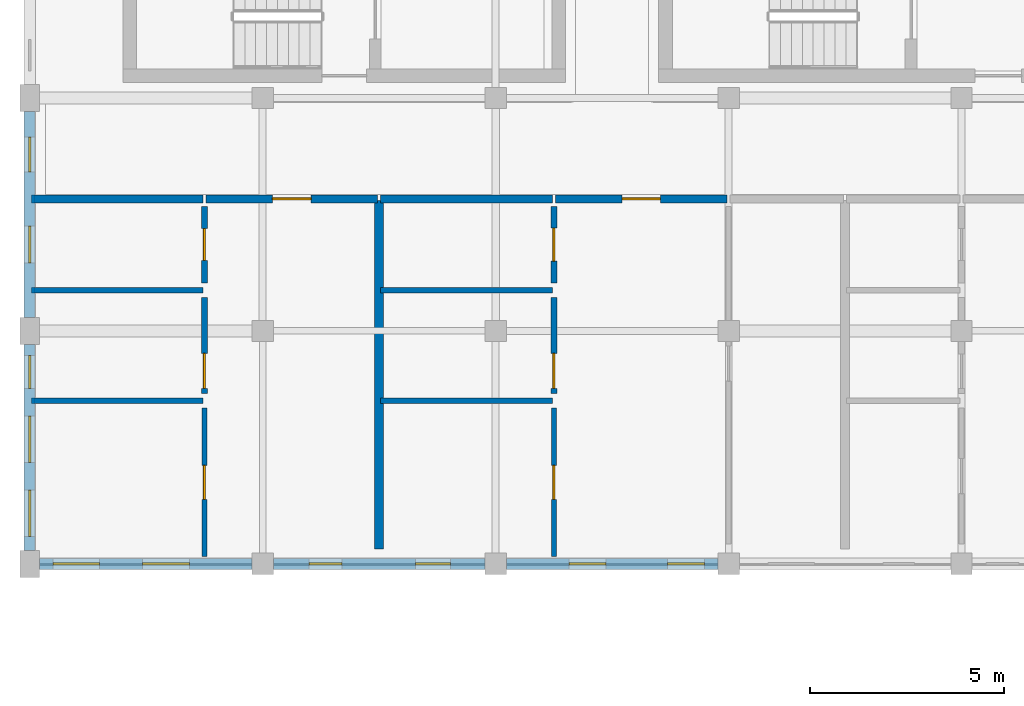
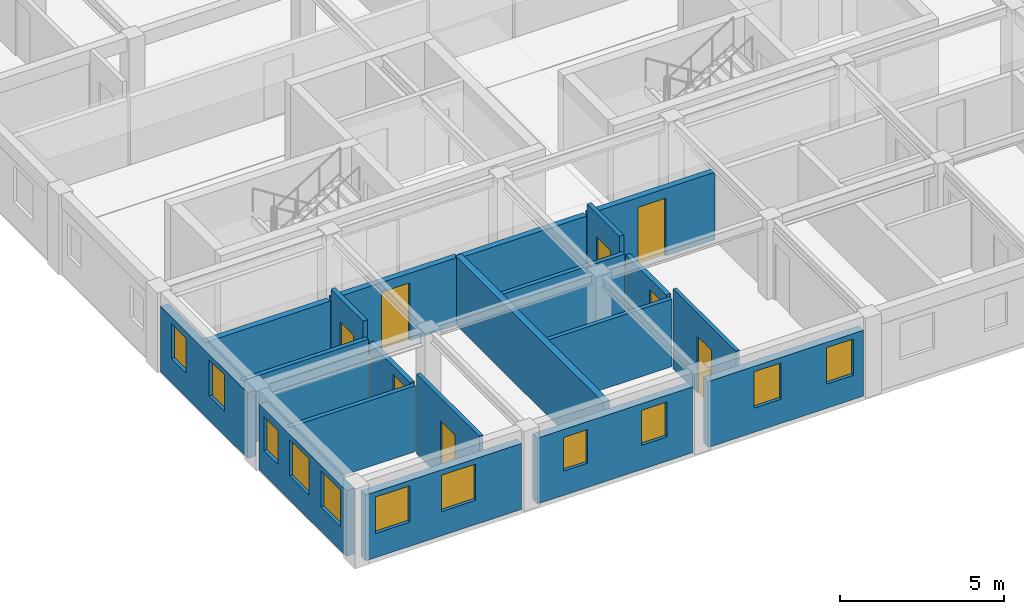
# One storey, part 54 of 101: 20 walls, 11 windows, 8 doors, 19 openings.
"""IFC4 building model written with IfcOpenShell, lengths in metres."""

from ifc_helpers import new_model, si_unit, direction, frame, frame_2d, origin, place, context, subcontext, project, spatial, rectangle, extrude, material, layer, layer_set, type_object, element, fill, save


model = new_model("IFC4")

# Units and contexts
model_context = context("Model", 3, precision=1e-05, world=origin(), true_north=direction((0.0, 1.0)))
body_context = subcontext(model_context, "Body", "Model", "MODEL_VIEW")
ifc_project = project(units=[si_unit("LENGTHUNIT", "METRE"), si_unit("AREAUNIT", "SQUARE_METRE"), si_unit("VOLUMEUNIT", "CUBIC_METRE"), si_unit("PLANEANGLEUNIT", "RADIAN"), si_unit("MASSUNIT", "GRAM", prefix="KILO"), si_unit("POWERUNIT", "WATT"), si_unit("THERMODYNAMICTEMPERATUREUNIT", "KELVIN")], contexts=[model_context])

# Site, building, storey
site_placement = place(None, origin())
site = spatial("IfcSite", under=ifc_project, at=site_placement, CompositionType="ELEMENT")
building_placement = place(site_placement, origin())
building = spatial("IfcBuilding", under=site, at=building_placement, Name="Ruvembo Vaulted Housing Court", CompositionType="ELEMENT")
storey_placement = place(building_placement, frame((0.0, 0.0, 17.300048828125)))
storey = spatial("IfcBuildingStorey", under=building, at=storey_placement, Name="L05", CompositionType="ELEMENT", Elevation=17.300048828125)

# Wall
ifc_material_1 = material(Name="Concrete Blockwork 210", Category="masonry")
ifc_layer_1 = layer(ifc_material_1, 0.2099609375, Name="Concrete Blockwork 210")
ifc_layer_set_1 = layer_set([ifc_layer_1], Name="Concrete Blockwork 210")
wall_type_1 = type_object("IfcWallType", Name="WL-CORR-210", PredefinedType="SOLIDWALL", material=ifc_layer_set_1)
wall_1_placement = place(storey_placement, frame((0.0400390625, 15.39990234375, 0.0), z_axis=(0.0, 0.0, 1.0), x_axis=(1.0, 0.0, 0.0)))
element("IfcWall", 1, at=wall_1_placement, inside=storey, type_object=wall_type_1, Name="L05 Flat A-L05-S1 Corridor Wall WL-INT-L05-01381", PredefinedType="SOLIDWALL", context=body_context, shape_type="SweptSolid", body=[
    extrude(rectangle(XDim=4.419921875, YDim=0.2099609375, at=frame_2d((2.2099609375, 0.0))), origin(), (0.0, 0.0, 1.0), 2.447021484375),
])

# Wall, opening, door
wall_2_placement = place(storey_placement, frame((4.5400390625, 15.39990234375, 0.0), z_axis=(0.0, 0.0, 1.0), x_axis=(1.0, 0.0, 0.0)))
wall_2 = element("IfcWall", 2, at=wall_2_placement, inside=storey, type_object=wall_type_1, Name="L05 Flat A-L05-S1 Entrance WL-INT-L05-01382", PredefinedType="SOLIDWALL", context=body_context, shape_type="SweptSolid", body=[
    extrude(rectangle(XDim=4.419921875, YDim=0.2099609375, at=frame_2d((2.2099609375, 0.0))), origin(), (0.0, 0.0, 1.0), 2.508056640625),
])
opening_1_placement = place(wall_2_placement, frame((1.7099609375, 0.0, 0.0)))
opening_1 = element("IfcOpeningElement", 3, at=opening_1_placement, cuts=wall_2, Name="Opening FD1", PredefinedType="OPENING", context=body_context, shape_type="SweptSolid", body=[
    extrude(rectangle(XDim=1.0, YDim=2.14990234375, at=frame_2d((0.5, 1.074951171875))), frame((0.0, 0.114990234375, 0.0), z_axis=(0.0, -1.0, 0.0), x_axis=(1.0, 0.0, 0.0)), (0.0, 0.0, 1.0), 0.22998046875),
])
ifc_material_2 = material(Name="FSC Hardwood and Engineered Timber", Category="wood")
door_type_1 = type_object("IfcDoorType", Name="DR-FLAT-1000x2150", OperationType="NOTDEFINED", PredefinedType="DOOR", material=ifc_material_2)
door_1_placement = place(opening_1_placement, origin())
door_1 = element("IfcDoor", 4, at=door_1_placement, inside=storey, type_object=door_type_1, Name="L05 Flat A-L05-S1 Entrance Door DR-INT-L05-00780", OperationType="SINGLE_SWING_RIGHT", OverallHeight=2.14990234375, OverallWidth=1.0, PredefinedType="DOOR", context=body_context, shape_type="SweptSolid", body=[
    extrude(rectangle(XDim=1.0, YDim=2.14990234375, at=frame_2d((0.5, 1.074951171875))), frame((0.0, 0.02490234375, 0.0), z_axis=(0.0, -1.0, 0.0), x_axis=(1.0, 0.0, 0.0)), (0.0, 0.0, 1.0), 0.050048828125),
])
fill(opening_1, door_1)

# Wall
wall_3_placement = place(storey_placement, frame((9.0400390625, 15.39990234375, 0.0), z_axis=(0.0, 0.0, 1.0), x_axis=(1.0, 0.0, 0.0)))
element("IfcWall", 5, at=wall_3_placement, inside=storey, type_object=wall_type_1, Name="L05 Flat A-L05-S2 Corridor Wall WL-INT-L05-01389", PredefinedType="SOLIDWALL", context=body_context, shape_type="SweptSolid", body=[
    extrude(rectangle(XDim=4.419921875, YDim=0.2099609375, at=frame_2d((2.2099609375, 0.0))), origin(), (0.0, 0.0, 1.0), 2.4580078125),
])

# Wall, opening, door
wall_4_placement = place(storey_placement, frame((13.5400390625, 15.39990234375, 0.0), z_axis=(0.0, 0.0, 1.0), x_axis=(1.0, 0.0, 0.0)))
wall_4 = element("IfcWall", 6, at=wall_4_placement, inside=storey, type_object=wall_type_1, Name="L05 Flat A-L05-S2 Entrance WL-INT-L05-01390", PredefinedType="SOLIDWALL", context=body_context, shape_type="SweptSolid", body=[
    extrude(rectangle(XDim=4.419921875, YDim=0.2099609375, at=frame_2d((2.2099609375, 0.0))), origin(), (0.0, 0.0, 1.0), 2.508056640625),
])
opening_2_placement = place(wall_4_placement, frame((1.719970703125, 0.0, 0.0)))
opening_2 = element("IfcOpeningElement", 7, at=opening_2_placement, cuts=wall_4, Name="Opening FD2", PredefinedType="OPENING", context=body_context, shape_type="SweptSolid", body=[
    extrude(rectangle(XDim=0.97998046875, YDim=2.14990234375, at=frame_2d((0.489990234375, 1.074951171875))), frame((0.0, 0.114990234375, 0.0), z_axis=(0.0, -1.0, 0.0), x_axis=(1.0, 0.0, 0.0)), (0.0, 0.0, 1.0), 0.22998046875),
])
door_type_2 = type_object("IfcDoorType", Name="DR-FLAT-0980x2150", OperationType="NOTDEFINED", PredefinedType="DOOR", material=ifc_material_2)
door_2_placement = place(opening_2_placement, origin())
door_2 = element("IfcDoor", 8, at=door_2_placement, inside=storey, type_object=door_type_2, Name="L05 Flat A-L05-S2 Entrance Door DR-INT-L05-00784", OperationType="SINGLE_SWING_RIGHT", OverallHeight=2.14990234375, OverallWidth=0.97998046875, PredefinedType="DOOR", context=body_context, shape_type="SweptSolid", body=[
    extrude(rectangle(XDim=0.97998046875, YDim=2.14990234375, at=frame_2d((0.489990234375, 1.074951171875))), frame((0.0, 0.02490234375, 0.0), z_axis=(0.0, -1.0, 0.0), x_axis=(1.0, 0.0, 0.0)), (0.0, 0.0, 1.0), 0.050048828125),
])
fill(opening_2, door_2)

# Wall
ifc_material_3 = material(Name="Acoustic Masonry Demising 230", Category="masonry")
ifc_layer_2 = layer(ifc_material_3, 0.22998046875, Name="Acoustic Masonry Demising 230")
ifc_layer_set_2 = layer_set([ifc_layer_2], Name="Acoustic Masonry Demising 230")
wall_type_2 = type_object("IfcWallType", Name="WL-DEM-230", PredefinedType="SOLIDWALL", material=ifc_layer_set_2)
wall_5_placement = place(storey_placement, frame((9.0, 6.389892578125, 0.0), z_axis=(0.0, 0.0, 1.0), x_axis=(0.0, 1.0, 0.0)))
element("IfcWall", 9, at=wall_5_placement, inside=storey, type_object=wall_type_2, Name="L05 Demising A-L05-S1 WL-INT-L05-01380", PredefinedType="SOLIDWALL", context=body_context, shape_type="SweptSolid", body=[
    extrude(rectangle(XDim=8.97021484375, YDim=0.22998046875, at=frame_2d((4.485107421875, 0.0))), origin(), (0.0, 0.0, 1.0), 2.5478515625),
])

# Wall, openings, windows
ifc_material_4 = material(Name="Rendered Masonry 285", Category="masonry")
ifc_layer_3 = layer(ifc_material_4, 0.284912109375, Name="Rendered Masonry 285")
ifc_layer_set_3 = layer_set([ifc_layer_3], Name="Rendered Masonry 285")
wall_type_3 = type_object("IfcWallType", Name="WL-EXT-285", PredefinedType="STANDARD", material=ifc_layer_set_3)
wall_6_placement = place(storey_placement, frame((0.25, 6.0, 0.0), z_axis=(0.0, 0.0, 1.0), x_axis=(1.0, 0.0, 0.0)))
wall_6 = element("IfcWall", 10, at=wall_6_placement, inside=storey, type_object=wall_type_3, Name="Block A L05 Exterior Wall STREET #1", PredefinedType="STANDARD", context=body_context, shape_type="SweptSolid", body=[
    extrude(rectangle(XDim=5.47509765625, YDim=0.284912109375, at=frame_2d((2.737548828125, 0.0))), origin(), (0.0, 0.0, 1.0), 2.447021484375),
])
opening_3_placement = place(wall_6_placement, frame((0.35009765625, 0.0, 0.89990234375)))
opening_3 = element("IfcOpeningElement", 11, at=opening_3_placement, cuts=wall_6, Name="Opening W12", PredefinedType="OPENING", context=body_context, shape_type="SweptSolid", body=[
    extrude(rectangle(XDim=1.199951171875, YDim=1.35009765625, at=frame_2d((0.60009765625, 0.675048828125))), frame((0.0, 0.15234375, 0.0), z_axis=(0.0, -1.0, 0.0), x_axis=(1.0, 0.0, 0.0)), (0.0, 0.0, 1.0), 0.304931640625),
])
opening_4_placement = place(wall_6_placement, frame((2.659912109375, 0.0, 0.89990234375)))
opening_4 = element("IfcOpeningElement", 12, at=opening_4_placement, cuts=wall_6, Name="Opening W12", PredefinedType="OPENING", context=body_context, shape_type="SweptSolid", body=[
    extrude(rectangle(XDim=1.199951171875, YDim=1.35009765625, at=frame_2d((0.60009765625, 0.675048828125))), frame((0.0, 0.15234375, 0.0), z_axis=(0.0, -1.0, 0.0), x_axis=(1.0, 0.0, 0.0)), (0.0, 0.0, 1.0), 0.304931640625),
])
ifc_material_5 = material(Name="Double Solar-Control Glazing in Aluminium Frame", Category="aluminium")
window_type_1 = type_object("IfcWindowType", Name="WIN-1200x1350", PartitioningType="SINGLE_PANEL", PredefinedType="WINDOW", material=ifc_material_5)
window_1_placement = place(opening_3_placement, origin())
window_1 = element("IfcWindow", 13, at=window_1_placement, inside=storey, type_object=window_type_1, Name="Block A L05 Window #209", OverallHeight=1.35009765625, OverallWidth=1.199951171875, PartitioningType="SINGLE_PANEL", PredefinedType="WINDOW", context=body_context, shape_type="SweptSolid", body=[
    extrude(rectangle(XDim=1.199951171875, YDim=1.35009765625, at=frame_2d((0.60009765625, 0.675048828125))), frame((0.0, 0.030029296875, 0.0), z_axis=(0.0, -1.0, 0.0), x_axis=(1.0, 0.0, 0.0)), (0.0, 0.0, 1.0), 0.06005859375),
])
fill(opening_3, window_1)
window_2_placement = place(opening_4_placement, origin())
window_2 = element("IfcWindow", 14, at=window_2_placement, inside=storey, type_object=window_type_1, Name="Block A L05 Window #210", OverallHeight=1.35009765625, OverallWidth=1.199951171875, PartitioningType="SINGLE_PANEL", PredefinedType="WINDOW", context=body_context, shape_type="SweptSolid", body=[
    extrude(rectangle(XDim=1.199951171875, YDim=1.35009765625, at=frame_2d((0.60009765625, 0.675048828125))), frame((0.0, 0.030029296875, 0.0), z_axis=(0.0, -1.0, 0.0), x_axis=(1.0, 0.0, 0.0)), (0.0, 0.0, 1.0), 0.06005859375),
])
fill(opening_4, window_2)

wall_7_placement = place(storey_placement, frame((6.27490234375, 6.0, 0.0), z_axis=(0.0, 0.0, 1.0), x_axis=(1.0, 0.0, 0.0)))
wall_7 = element("IfcWall", 15, at=wall_7_placement, inside=storey, type_object=wall_type_3, Name="Block A L05 Exterior Wall STREET #2", PredefinedType="STANDARD", context=body_context, shape_type="SweptSolid", body=[
    extrude(rectangle(XDim=5.4501953125, YDim=0.284912109375, at=frame_2d((2.72509765625, 0.0))), origin(), (0.0, 0.0, 1.0), 2.447021484375),
])
opening_5_placement = place(wall_7_placement, frame((0.91748046875, 0.0, 0.89990234375)))
opening_5 = element("IfcOpeningElement", 16, at=opening_5_placement, cuts=wall_7, Name="Opening W03", PredefinedType="OPENING", context=body_context, shape_type="SweptSolid", body=[
    extrude(rectangle(XDim=0.85009765625, YDim=1.25, at=frame_2d((0.425048828125, 0.625))), frame((0.0, 0.15234375, 0.0), z_axis=(0.0, -1.0, 0.0), x_axis=(1.0, 0.0, 0.0)), (0.0, 0.0, 1.0), 0.304931640625),
])
opening_6_placement = place(wall_7_placement, frame((3.657470703125, 0.0, 0.89990234375)))
opening_6 = element("IfcOpeningElement", 17, at=opening_6_placement, cuts=wall_7, Name="Opening W04", PredefinedType="OPENING", context=body_context, shape_type="SweptSolid", body=[
    extrude(rectangle(XDim=0.89990234375, YDim=1.300048828125, at=frame_2d((0.449951171875, 0.64990234375))), frame((0.0, 0.15234375, 0.0), z_axis=(0.0, -1.0, 0.0), x_axis=(1.0, 0.0, 0.0)), (0.0, 0.0, 1.0), 0.304931640625),
])
window_type_2 = type_object("IfcWindowType", Name="WIN-0850x1250", PartitioningType="SINGLE_PANEL", PredefinedType="WINDOW", material=ifc_material_5)
window_3_placement = place(opening_5_placement, origin())
window_3 = element("IfcWindow", 18, at=window_3_placement, inside=storey, type_object=window_type_2, Name="Block A L05 Window #211", OverallHeight=1.25, OverallWidth=0.85009765625, PartitioningType="SINGLE_PANEL", PredefinedType="WINDOW", context=body_context, shape_type="SweptSolid", body=[
    extrude(rectangle(XDim=0.85009765625, YDim=1.25, at=frame_2d((0.425048828125, 0.625))), frame((0.0, 0.030029296875, 0.0), z_axis=(0.0, -1.0, 0.0), x_axis=(1.0, 0.0, 0.0)), (0.0, 0.0, 1.0), 0.06005859375),
])
fill(opening_5, window_3)
window_type_3 = type_object("IfcWindowType", Name="WIN-0900x1300", PartitioningType="SINGLE_PANEL", PredefinedType="WINDOW", material=ifc_material_5)
window_4_placement = place(opening_6_placement, origin())
window_4 = element("IfcWindow", 19, at=window_4_placement, inside=storey, type_object=window_type_3, Name="Block A L05 Window #212", OverallHeight=1.300048828125, OverallWidth=0.89990234375, PartitioningType="SINGLE_PANEL", PredefinedType="WINDOW", context=body_context, shape_type="SweptSolid", body=[
    extrude(rectangle(XDim=0.89990234375, YDim=1.300048828125, at=frame_2d((0.449951171875, 0.64990234375))), frame((0.0, 0.030029296875, 0.0), z_axis=(0.0, -1.0, 0.0), x_axis=(1.0, 0.0, 0.0)), (0.0, 0.0, 1.0), 0.06005859375),
])
fill(opening_6, window_4)

wall_8_placement = place(storey_placement, frame((12.27490234375, 6.0, 0.0), z_axis=(0.0, 0.0, 1.0), x_axis=(1.0, 0.0, 0.0)))
wall_8 = element("IfcWall", 20, at=wall_8_placement, inside=storey, type_object=wall_type_3, Name="Block A L05 Exterior Wall STREET #3", PredefinedType="STANDARD", context=body_context, shape_type="SweptSolid", body=[
    extrude(rectangle(XDim=5.4501953125, YDim=0.284912109375, at=frame_2d((2.72509765625, 0.0))), origin(), (0.0, 0.0, 1.0), 2.447021484375),
])
opening_7_placement = place(wall_8_placement, frame((1.614990234375, 0.0, 0.89990234375)))
opening_7 = element("IfcOpeningElement", 21, at=opening_7_placement, cuts=wall_8, Name="Opening W07", PredefinedType="OPENING", context=body_context, shape_type="SweptSolid", body=[
    extrude(rectangle(XDim=0.949951171875, YDim=1.35009765625, at=frame_2d((0.47509765625, 0.675048828125))), frame((0.0, 0.15234375, 0.0), z_axis=(0.0, -1.0, 0.0), x_axis=(1.0, 0.0, 0.0)), (0.0, 0.0, 1.0), 0.304931640625),
])
opening_8_placement = place(wall_8_placement, frame((4.14990234375, 0.0, 0.89990234375)))
opening_8 = element("IfcOpeningElement", 22, at=opening_8_placement, cuts=wall_8, Name="Opening W07", PredefinedType="OPENING", context=body_context, shape_type="SweptSolid", body=[
    extrude(rectangle(XDim=0.949951171875, YDim=1.35009765625, at=frame_2d((0.47509765625, 0.675048828125))), frame((0.0, 0.15234375, 0.0), z_axis=(0.0, -1.0, 0.0), x_axis=(1.0, 0.0, 0.0)), (0.0, 0.0, 1.0), 0.304931640625),
])
window_type_4 = type_object("IfcWindowType", Name="WIN-0950x1350", PartitioningType="SINGLE_PANEL", PredefinedType="WINDOW", material=ifc_material_5)
window_5_placement = place(opening_7_placement, origin())
window_5 = element("IfcWindow", 23, at=window_5_placement, inside=storey, type_object=window_type_4, Name="Block A L05 Window #213", OverallHeight=1.35009765625, OverallWidth=0.949951171875, PartitioningType="SINGLE_PANEL", PredefinedType="WINDOW", context=body_context, shape_type="SweptSolid", body=[
    extrude(rectangle(XDim=0.949951171875, YDim=1.35009765625, at=frame_2d((0.47509765625, 0.675048828125))), frame((0.0, 0.030029296875, 0.0), z_axis=(0.0, -1.0, 0.0), x_axis=(1.0, 0.0, 0.0)), (0.0, 0.0, 1.0), 0.06005859375),
])
fill(opening_7, window_5)
window_6_placement = place(opening_8_placement, origin())
window_6 = element("IfcWindow", 24, at=window_6_placement, inside=storey, type_object=window_type_4, Name="Block A L05 Window #214", OverallHeight=1.35009765625, OverallWidth=0.949951171875, PartitioningType="SINGLE_PANEL", PredefinedType="WINDOW", context=body_context, shape_type="SweptSolid", body=[
    extrude(rectangle(XDim=0.949951171875, YDim=1.35009765625, at=frame_2d((0.47509765625, 0.675048828125))), frame((0.0, 0.030029296875, 0.0), z_axis=(0.0, -1.0, 0.0), x_axis=(1.0, 0.0, 0.0)), (0.0, 0.0, 1.0), 0.06005859375),
])
fill(opening_8, window_6)

wall_9_placement = place(storey_placement, frame((0.0, 17.64990234375, 0.0), z_axis=(0.0, 0.0, 1.0), x_axis=(0.0, -1.0, 0.0)))
wall_9 = element("IfcWall", 25, at=wall_9_placement, inside=storey, type_object=wall_type_3, Name="Block A L05 Exterior Wall WEST #5", PredefinedType="STANDARD", context=body_context, shape_type="SweptSolid", body=[
    extrude(rectangle(XDim=5.2998046875, YDim=0.284912109375, at=frame_2d((2.64990234375, 0.0))), origin(), (0.0, 0.0, 1.0), 2.447021484375),
])
opening_9_placement = place(wall_9_placement, frame((0.655029296875, 0.0, 0.89990234375)))
opening_9 = element("IfcOpeningElement", 26, at=opening_9_placement, cuts=wall_9, Name="Opening W04", PredefinedType="OPENING", context=body_context, shape_type="SweptSolid", body=[
    extrude(rectangle(XDim=0.89990234375, YDim=1.300048828125, at=frame_2d((0.449951171875, 0.64990234375))), frame((0.0, 0.15234375, 0.0), z_axis=(0.0, -1.0, 0.0), x_axis=(1.0, 0.0, 0.0)), (0.0, 0.0, 1.0), 0.304931640625),
])
opening_10_placement = place(wall_9_placement, frame((2.949951171875, 0.0, 0.89990234375)))
opening_10 = element("IfcOpeningElement", 27, at=opening_10_placement, cuts=wall_9, Name="Opening W07", PredefinedType="OPENING", context=body_context, shape_type="SweptSolid", body=[
    extrude(rectangle(XDim=0.949951171875, YDim=1.35009765625, at=frame_2d((0.47509765625, 0.675048828125))), frame((0.0, 0.15234375, 0.0), z_axis=(0.0, -1.0, 0.0), x_axis=(1.0, 0.0, 0.0)), (0.0, 0.0, 1.0), 0.304931640625),
])
window_7_placement = place(opening_9_placement, origin())
window_7 = element("IfcWindow", 28, at=window_7_placement, inside=storey, type_object=window_type_3, Name="Block A L05 Window #248", OverallHeight=1.300048828125, OverallWidth=0.89990234375, PartitioningType="SINGLE_PANEL", PredefinedType="WINDOW", context=body_context, shape_type="SweptSolid", body=[
    extrude(rectangle(XDim=0.89990234375, YDim=1.300048828125, at=frame_2d((0.449951171875, 0.64990234375))), frame((0.0, 0.030029296875, 0.0), z_axis=(0.0, -1.0, 0.0), x_axis=(1.0, 0.0, 0.0)), (0.0, 0.0, 1.0), 0.06005859375),
])
fill(opening_9, window_7)
window_8_placement = place(opening_10_placement, origin())
window_8 = element("IfcWindow", 29, at=window_8_placement, inside=storey, type_object=window_type_4, Name="Block A L05 Window #249", OverallHeight=1.35009765625, OverallWidth=0.949951171875, PartitioningType="SINGLE_PANEL", PredefinedType="WINDOW", context=body_context, shape_type="SweptSolid", body=[
    extrude(rectangle(XDim=0.949951171875, YDim=1.35009765625, at=frame_2d((0.47509765625, 0.675048828125))), frame((0.0, 0.030029296875, 0.0), z_axis=(0.0, -1.0, 0.0), x_axis=(1.0, 0.0, 0.0)), (0.0, 0.0, 1.0), 0.06005859375),
])
fill(opening_10, window_8)

wall_10_placement = place(storey_placement, frame((0.0, 11.64990234375, 0.0), z_axis=(0.0, 0.0, 1.0), x_axis=(0.0, -1.0, 0.0)))
wall_10 = element("IfcWall", 30, at=wall_10_placement, inside=storey, type_object=wall_type_3, Name="Block A L05 Exterior Wall WEST #6", PredefinedType="STANDARD", context=body_context, shape_type="SweptSolid", body=[
    extrude(rectangle(XDim=5.2998046875, YDim=0.284912109375, at=frame_2d((2.64990234375, 0.0))), origin(), (0.0, 0.0, 1.0), 2.447021484375),
])
opening_11_placement = place(wall_10_placement, frame((0.280029296875, 0.0, 0.89990234375)))
opening_11 = element("IfcOpeningElement", 31, at=opening_11_placement, cuts=wall_10, Name="Opening W03", PredefinedType="OPENING", context=body_context, shape_type="SweptSolid", body=[
    extrude(rectangle(XDim=0.85009765625, YDim=1.25, at=frame_2d((0.425048828125, 0.625))), frame((0.0, 0.15234375, 0.0), z_axis=(0.0, -1.0, 0.0), x_axis=(1.0, 0.0, 0.0)), (0.0, 0.0, 1.0), 0.304931640625),
])
opening_12_placement = place(wall_10_placement, frame((1.840087890625, 0.0, 0.89990234375)))
opening_12 = element("IfcOpeningElement", 32, at=opening_12_placement, cuts=wall_10, Name="Opening W12", PredefinedType="OPENING", context=body_context, shape_type="SweptSolid", body=[
    extrude(rectangle(XDim=1.199951171875, YDim=1.35009765625, at=frame_2d((0.60009765625, 0.675048828125))), frame((0.0, 0.15234375, 0.0), z_axis=(0.0, -1.0, 0.0), x_axis=(1.0, 0.0, 0.0)), (0.0, 0.0, 1.0), 0.304931640625),
])
opening_13_placement = place(wall_10_placement, frame((3.75, 0.0, 0.89990234375)))
opening_13 = element("IfcOpeningElement", 33, at=opening_13_placement, cuts=wall_10, Name="Opening W12", PredefinedType="OPENING", context=body_context, shape_type="SweptSolid", body=[
    extrude(rectangle(XDim=1.199951171875, YDim=1.35009765625, at=frame_2d((0.60009765625, 0.675048828125))), frame((0.0, 0.15234375, 0.0), z_axis=(0.0, -1.0, 0.0), x_axis=(1.0, 0.0, 0.0)), (0.0, 0.0, 1.0), 0.304931640625),
])
window_9_placement = place(opening_11_placement, origin())
window_9 = element("IfcWindow", 34, at=window_9_placement, inside=storey, type_object=window_type_2, Name="Block A L05 Window #250", OverallHeight=1.25, OverallWidth=0.85009765625, PartitioningType="SINGLE_PANEL", PredefinedType="WINDOW", context=body_context, shape_type="SweptSolid", body=[
    extrude(rectangle(XDim=0.85009765625, YDim=1.25, at=frame_2d((0.425048828125, 0.625))), frame((0.0, 0.030029296875, 0.0), z_axis=(0.0, -1.0, 0.0), x_axis=(1.0, 0.0, 0.0)), (0.0, 0.0, 1.0), 0.06005859375),
])
fill(opening_11, window_9)
window_10_placement = place(opening_12_placement, origin())
window_10 = element("IfcWindow", 35, at=window_10_placement, inside=storey, type_object=window_type_1, Name="Block A L05 Window #251", OverallHeight=1.35009765625, OverallWidth=1.199951171875, PartitioningType="SINGLE_PANEL", PredefinedType="WINDOW", context=body_context, shape_type="SweptSolid", body=[
    extrude(rectangle(XDim=1.199951171875, YDim=1.35009765625, at=frame_2d((0.60009765625, 0.675048828125))), frame((0.0, 0.030029296875, 0.0), z_axis=(0.0, -1.0, 0.0), x_axis=(1.0, 0.0, 0.0)), (0.0, 0.0, 1.0), 0.06005859375),
])
fill(opening_12, window_10)
window_11_placement = place(opening_13_placement, origin())
window_11 = element("IfcWindow", 36, at=window_11_placement, inside=storey, type_object=window_type_1, Name="Block A L05 Window #252", OverallHeight=1.35009765625, OverallWidth=1.199951171875, PartitioningType="SINGLE_PANEL", PredefinedType="WINDOW", context=body_context, shape_type="SweptSolid", body=[
    extrude(rectangle(XDim=1.199951171875, YDim=1.35009765625, at=frame_2d((0.60009765625, 0.675048828125))), frame((0.0, 0.030029296875, 0.0), z_axis=(0.0, -1.0, 0.0), x_axis=(1.0, 0.0, 0.0)), (0.0, 0.0, 1.0), 0.06005859375),
])
fill(opening_13, window_11)

# Wall, opening, door
ifc_material_6 = material(Name="Plasterboard Stud Partition 125", Category="gypsum")
ifc_layer_4 = layer(ifc_material_6, 0.125, Name="Plasterboard Stud Partition 125")
ifc_layer_set_4 = layer_set([ifc_layer_4], Name="Plasterboard Stud Partition 125")
wall_type_4 = type_object("IfcWallType", Name="WL-PART-125", PredefinedType="PARTITIONING", material=ifc_layer_set_4)
wall_11_placement = place(storey_placement, frame((13.5, 6.18994140625, 0.0), z_axis=(0.0, 0.0, 1.0), x_axis=(0.0, 1.0, 0.0)))
wall_11 = element("IfcWall", 37, at=wall_11_placement, inside=storey, type_object=wall_type_4, Name="L05 Flat A-L05-S2 Bedroom 1 WL-INT-L05-01391", PredefinedType="PARTITIONING", context=body_context, shape_type="SweptSolid", body=[
    extrude(rectangle(XDim=3.820068359375, YDim=0.125, at=frame_2d((1.91015625, 0.0))), origin(), (0.0, 0.0, 1.0), 2.96484375),
])
opening_14_placement = place(wall_11_placement, frame((1.469970703125, 0.0, 0.0)))
opening_14 = element("IfcOpeningElement", 38, at=opening_14_placement, cuts=wall_11, Name="Opening ID3", PredefinedType="OPENING", context=body_context, shape_type="SweptSolid", body=[
    extrude(rectangle(XDim=0.8798828125, YDim=2.10009765625, at=frame_2d((0.43994140625, 1.050048828125))), frame((0.0, 0.072509765625, 0.0), z_axis=(0.0, -1.0, 0.0), x_axis=(1.0, 0.0, 0.0)), (0.0, 0.0, 1.0), 0.14501953125),
])
door_type_3 = type_object("IfcDoorType", Name="DR-ROOM-0880x2100", OperationType="NOTDEFINED", PredefinedType="DOOR", material=ifc_material_2)
door_3_placement = place(opening_14_placement, origin())
door_3 = element("IfcDoor", 39, at=door_3_placement, inside=storey, type_object=door_type_3, Name="L05 Flat A-L05-S2 Bedroom 1 Door DR-INT-L05-00785", OperationType="SINGLE_SWING_LEFT", OverallHeight=2.10009765625, OverallWidth=0.8798828125, PredefinedType="DOOR", context=body_context, shape_type="SweptSolid", body=[
    extrude(rectangle(XDim=0.8798828125, YDim=2.10009765625, at=frame_2d((0.43994140625, 1.050048828125))), frame((0.0, 0.02490234375, 0.0), z_axis=(0.0, -1.0, 0.0), x_axis=(1.0, 0.0, 0.0)), (0.0, 0.0, 1.0), 0.050048828125),
])
fill(opening_14, door_3)

ifc_material_7 = material(Name="Acoustic Stud Partition 135", Category="gypsum")
ifc_layer_5 = layer(ifc_material_7, 0.135009765625, Name="Acoustic Stud Partition 135")
ifc_layer_set_5 = layer_set([ifc_layer_5], Name="Acoustic Stud Partition 135")
wall_type_5 = type_object("IfcWallType", Name="WL-PART-135", PredefinedType="PARTITIONING", material=ifc_layer_set_5)
wall_12_placement = place(storey_placement, frame((4.5, 6.18994140625, 0.0), z_axis=(0.0, 0.0, 1.0), x_axis=(0.0, 1.0, 0.0)))
wall_12 = element("IfcWall", 40, at=wall_12_placement, inside=storey, type_object=wall_type_5, Name="L05 Flat A-L05-S1 Bedroom 1 WL-INT-L05-01383", PredefinedType="PARTITIONING", context=body_context, shape_type="SweptSolid", body=[
    extrude(rectangle(XDim=3.820068359375, YDim=0.135009765625, at=frame_2d((1.91015625, 0.0))), origin(), (0.0, 0.0, 1.0), 2.96484375),
])
opening_15_placement = place(wall_12_placement, frame((1.469970703125, 0.0, 0.0)))
opening_15 = element("IfcOpeningElement", 41, at=opening_15_placement, cuts=wall_12, Name="Opening ID3", PredefinedType="OPENING", context=body_context, shape_type="SweptSolid", body=[
    extrude(rectangle(XDim=0.8798828125, YDim=2.10009765625, at=frame_2d((0.43994140625, 1.050048828125))), frame((0.0, 0.077392578125, 0.0), z_axis=(0.0, -1.0, 0.0), x_axis=(1.0, 0.0, 0.0)), (0.0, 0.0, 1.0), 0.155029296875),
])
door_4_placement = place(opening_15_placement, origin())
door_4 = element("IfcDoor", 42, at=door_4_placement, inside=storey, type_object=door_type_3, Name="L05 Flat A-L05-S1 Bedroom 1 Door DR-INT-L05-00781", OperationType="SINGLE_SWING_LEFT", OverallHeight=2.10009765625, OverallWidth=0.8798828125, PredefinedType="DOOR", context=body_context, shape_type="SweptSolid", body=[
    extrude(rectangle(XDim=0.8798828125, YDim=2.10009765625, at=frame_2d((0.43994140625, 1.050048828125))), frame((0.0, 0.02490234375, 0.0), z_axis=(0.0, -1.0, 0.0), x_axis=(1.0, 0.0, 0.0)), (0.0, 0.0, 1.0), 0.050048828125),
])
fill(opening_15, door_4)

ifc_material_8 = material(Name="Moisture-Resistant Wet Partition 150", Category="gypsum")
ifc_layer_6 = layer(ifc_material_8, 0.14990234375, Name="Moisture-Resistant Wet Partition 150")
ifc_layer_set_6 = layer_set([ifc_layer_6], Name="Moisture-Resistant Wet Partition 150")
wall_type_6 = type_object("IfcWallType", Name="WL-PART-150", PredefinedType="PARTITIONING", material=ifc_layer_set_6)
wall_13_placement = place(storey_placement, frame((4.5, 13.239990234375, 0.0), z_axis=(0.0, 0.0, 1.0), x_axis=(0.0, 1.0, 0.0)))
wall_13 = element("IfcWall", 43, at=wall_13_placement, inside=storey, type_object=wall_type_6, Name="L05 Flat A-L05-S1 Bathroom WL-INT-L05-01385", PredefinedType="PARTITIONING", context=body_context, shape_type="SweptSolid", body=[
    extrude(rectangle(XDim=1.969970703125, YDim=0.14990234375, at=frame_2d((0.98486328125, 0.0))), origin(), (0.0, 0.0, 1.0), 2.96484375),
])
opening_16_placement = place(wall_13_placement, frame((0.574951171875, 0.0, 0.0)))
opening_16 = element("IfcOpeningElement", 44, at=opening_16_placement, cuts=wall_13, Name="Opening ID4", PredefinedType="OPENING", context=body_context, shape_type="SweptSolid", body=[
    extrude(rectangle(XDim=0.820068359375, YDim=2.080078125, at=frame_2d((0.41015625, 1.0400390625))), frame((0.0, 0.0849609375, 0.0), z_axis=(0.0, -1.0, 0.0), x_axis=(1.0, 0.0, 0.0)), (0.0, 0.0, 1.0), 0.169921875),
])
door_type_4 = type_object("IfcDoorType", Name="DR-WET-0820x2080", OperationType="NOTDEFINED", PredefinedType="DOOR", material=ifc_material_2)
door_5_placement = place(opening_16_placement, origin())
door_5 = element("IfcDoor", 45, at=door_5_placement, inside=storey, type_object=door_type_4, Name="L05 Flat A-L05-S1 Bathroom Door DR-INT-L05-00783", OperationType="SINGLE_SWING_LEFT", OverallHeight=2.080078125, OverallWidth=0.820068359375, PredefinedType="DOOR", context=body_context, shape_type="SweptSolid", body=[
    extrude(rectangle(XDim=0.820068359375, YDim=2.080078125, at=frame_2d((0.41015625, 1.0400390625))), frame((0.0, 0.02490234375, 0.0), z_axis=(0.0, -1.0, 0.0), x_axis=(1.0, 0.0, 0.0)), (0.0, 0.0, 1.0), 0.050048828125),
])
fill(opening_16, door_5)

# Walls
for number, where, z_axis, x_axis, name in (
    (46, (0.0400390625, 10.199951171875, 0.0), (0.0, 0.0, 1.0), (1.0, 0.0, 0.0), "L05 Flat A-L05-S1 Wet Wall 1 WL-INT-L05-01386"),
    (47, (0.0400390625, 13.050048828125, 0.0), (0.0, 0.0, 1.0), (1.0, 0.0, 0.0), "L05 Flat A-L05-S1 Wet Wall 2 WL-INT-L05-01387"),
):
    element("IfcWall", number, at=place(storey_placement, frame(where, z_axis=z_axis, x_axis=x_axis)), inside=storey, type_object=wall_type_6, Name=name, PredefinedType="PARTITIONING", context=body_context, shape_type="SweptSolid", body=[
        extrude(rectangle(XDim=4.419921875, YDim=0.14990234375, at=frame_2d((2.2099609375, 0.0))), origin(), (0.0, 0.0, 1.0), 2.447021484375),
    ])

# Wall, opening, door
wall_14_placement = place(storey_placement, frame((13.5, 13.239990234375, 0.0), z_axis=(0.0, 0.0, 1.0), x_axis=(0.0, 1.0, 0.0)))
wall_14 = element("IfcWall", 48, at=wall_14_placement, inside=storey, type_object=wall_type_6, Name="L05 Flat A-L05-S2 Bathroom WL-INT-L05-01393", PredefinedType="PARTITIONING", context=body_context, shape_type="SweptSolid", body=[
    extrude(rectangle(XDim=1.969970703125, YDim=0.14990234375, at=frame_2d((0.98486328125, 0.0))), origin(), (0.0, 0.0, 1.0), 2.96484375),
])
opening_17_placement = place(wall_14_placement, frame((0.56005859375, 0.0, 0.0)))
opening_17 = element("IfcOpeningElement", 49, at=opening_17_placement, cuts=wall_14, Name="Opening ID2", PredefinedType="OPENING", context=body_context, shape_type="SweptSolid", body=[
    extrude(rectangle(XDim=0.85009765625, YDim=2.10009765625, at=frame_2d((0.425048828125, 1.050048828125))), frame((0.0, 0.0849609375, 0.0), z_axis=(0.0, -1.0, 0.0), x_axis=(1.0, 0.0, 0.0)), (0.0, 0.0, 1.0), 0.169921875),
])
door_type_5 = type_object("IfcDoorType", Name="DR-WET-0850x2100", OperationType="NOTDEFINED", PredefinedType="DOOR", material=ifc_material_2)
door_6_placement = place(opening_17_placement, origin())
door_6 = element("IfcDoor", 50, at=door_6_placement, inside=storey, type_object=door_type_5, Name="L05 Flat A-L05-S2 Bathroom Door DR-INT-L05-00787", OperationType="SINGLE_SWING_LEFT", OverallHeight=2.10009765625, OverallWidth=0.85009765625, PredefinedType="DOOR", context=body_context, shape_type="SweptSolid", body=[
    extrude(rectangle(XDim=0.85009765625, YDim=2.10009765625, at=frame_2d((0.425048828125, 1.050048828125))), frame((0.0, 0.02490234375, 0.0), z_axis=(0.0, -1.0, 0.0), x_axis=(1.0, 0.0, 0.0)), (0.0, 0.0, 1.0), 0.050048828125),
])
fill(opening_17, door_6)

# Walls
wall_15_placement = place(storey_placement, frame((9.0400390625, 10.199951171875, 0.0), z_axis=(0.0, 0.0, 1.0), x_axis=(1.0, 0.0, 0.0)))
element("IfcWall", 51, at=wall_15_placement, inside=storey, type_object=wall_type_6, Name="L05 Flat A-L05-S2 Wet Wall 1 WL-INT-L05-01394", PredefinedType="PARTITIONING", context=body_context, shape_type="SweptSolid", body=[
    extrude(rectangle(XDim=4.419921875, YDim=0.14990234375, at=frame_2d((2.2099609375, 0.0))), origin(), (0.0, 0.0, 1.0), 2.508056640625),
])
wall_16_placement = place(storey_placement, frame((9.0400390625, 13.050048828125, 0.0), z_axis=(0.0, 0.0, 1.0), x_axis=(1.0, 0.0, 0.0)))
element("IfcWall", 52, at=wall_16_placement, inside=storey, type_object=wall_type_6, Name="L05 Flat A-L05-S2 Wet Wall 2 WL-INT-L05-01395", PredefinedType="PARTITIONING", context=body_context, shape_type="SweptSolid", body=[
    extrude(rectangle(XDim=4.419921875, YDim=0.14990234375, at=frame_2d((2.2099609375, 0.0))), origin(), (0.0, 0.0, 1.0), 2.4580078125),
])

# Wall, opening, door
ifc_material_9 = material(Name="Acoustic Service Chase Wall 160", Category="gypsum")
ifc_layer_7 = layer(ifc_material_9, 0.159912109375, Name="Acoustic Service Chase Wall 160")
ifc_layer_set_7 = layer_set([ifc_layer_7], Name="Acoustic Service Chase Wall 160")
wall_type_7 = type_object("IfcWallType", Name="WL-PLUMB-160", PredefinedType="PLUMBINGWALL", material=ifc_layer_set_7)
wall_17_placement = place(storey_placement, frame((4.5, 10.389892578125, 0.0), z_axis=(0.0, 0.0, 1.0), x_axis=(0.0, 1.0, 0.0)))
wall_17 = element("IfcWall", 53, at=wall_17_placement, inside=storey, type_object=wall_type_7, Name="L05 Flat A-L05-S1 Kitchen WL-INT-L05-01384", PredefinedType="PLUMBINGWALL", context=body_context, shape_type="SweptSolid", body=[
    extrude(rectangle(XDim=2.47021484375, YDim=0.159912109375, at=frame_2d((1.235107421875, 0.0))), origin(), (0.0, 0.0, 1.0), 2.407958984375),
])
opening_18_placement = place(wall_17_placement, frame((0.1298828125, 0.0, 0.0)))
opening_18 = element("IfcOpeningElement", 54, at=opening_18_placement, cuts=wall_17, Name="Opening ID1", PredefinedType="OPENING", context=body_context, shape_type="SweptSolid", body=[
    extrude(rectangle(XDim=0.89990234375, YDim=2.10009765625, at=frame_2d((0.449951171875, 1.050048828125))), frame((0.0, 0.08984375, 0.0), z_axis=(0.0, -1.0, 0.0), x_axis=(1.0, 0.0, 0.0)), (0.0, 0.0, 1.0), 0.179931640625),
])
door_type_6 = type_object("IfcDoorType", Name="DR-ROOM-0900x2100", OperationType="NOTDEFINED", PredefinedType="DOOR", material=ifc_material_2)
door_7_placement = place(opening_18_placement, origin())
door_7 = element("IfcDoor", 55, at=door_7_placement, inside=storey, type_object=door_type_6, Name="L05 Flat A-L05-S1 Kitchen Door DR-INT-L05-00782", OperationType="SINGLE_SWING_RIGHT", OverallHeight=2.10009765625, OverallWidth=0.89990234375, PredefinedType="DOOR", context=body_context, shape_type="SweptSolid", body=[
    extrude(rectangle(XDim=0.89990234375, YDim=2.10009765625, at=frame_2d((0.449951171875, 1.050048828125))), frame((0.0, 0.02490234375, 0.0), z_axis=(0.0, -1.0, 0.0), x_axis=(1.0, 0.0, 0.0)), (0.0, 0.0, 1.0), 0.050048828125),
])
fill(opening_18, door_7)

wall_18_placement = place(storey_placement, frame((13.5, 10.389892578125, 0.0), z_axis=(0.0, 0.0, 1.0), x_axis=(0.0, 1.0, 0.0)))
wall_18 = element("IfcWall", 56, at=wall_18_placement, inside=storey, type_object=wall_type_7, Name="L05 Flat A-L05-S2 Kitchen WL-INT-L05-01392", PredefinedType="PLUMBINGWALL", context=body_context, shape_type="SweptSolid", body=[
    extrude(rectangle(XDim=2.47021484375, YDim=0.159912109375, at=frame_2d((1.235107421875, 0.0))), origin(), (0.0, 0.0, 1.0), 2.508056640625),
])
opening_19_placement = place(wall_18_placement, frame((0.1298828125, 0.0, 0.0)))
opening_19 = element("IfcOpeningElement", 57, at=opening_19_placement, cuts=wall_18, Name="Opening ID1", PredefinedType="OPENING", context=body_context, shape_type="SweptSolid", body=[
    extrude(rectangle(XDim=0.89990234375, YDim=2.10009765625, at=frame_2d((0.449951171875, 1.050048828125))), frame((0.0, 0.08984375, 0.0), z_axis=(0.0, -1.0, 0.0), x_axis=(1.0, 0.0, 0.0)), (0.0, 0.0, 1.0), 0.179931640625),
])
door_8_placement = place(opening_19_placement, origin())
door_8 = element("IfcDoor", 58, at=door_8_placement, inside=storey, type_object=door_type_6, Name="L05 Flat A-L05-S2 Kitchen Door DR-INT-L05-00786", OperationType="SINGLE_SWING_RIGHT", OverallHeight=2.10009765625, OverallWidth=0.89990234375, PredefinedType="DOOR", context=body_context, shape_type="SweptSolid", body=[
    extrude(rectangle(XDim=0.89990234375, YDim=2.10009765625, at=frame_2d((0.449951171875, 1.050048828125))), frame((0.0, 0.02490234375, 0.0), z_axis=(0.0, -1.0, 0.0), x_axis=(1.0, 0.0, 0.0)), (0.0, 0.0, 1.0), 0.050048828125),
])
fill(opening_19, door_8)

save(model, "model.ifc")
